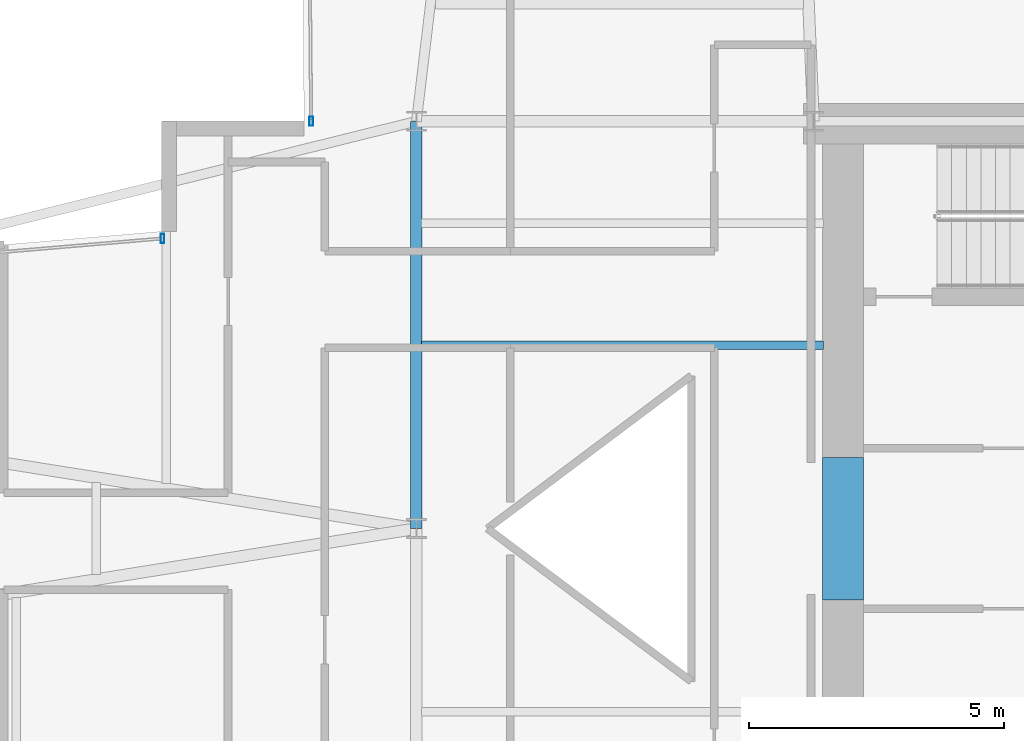
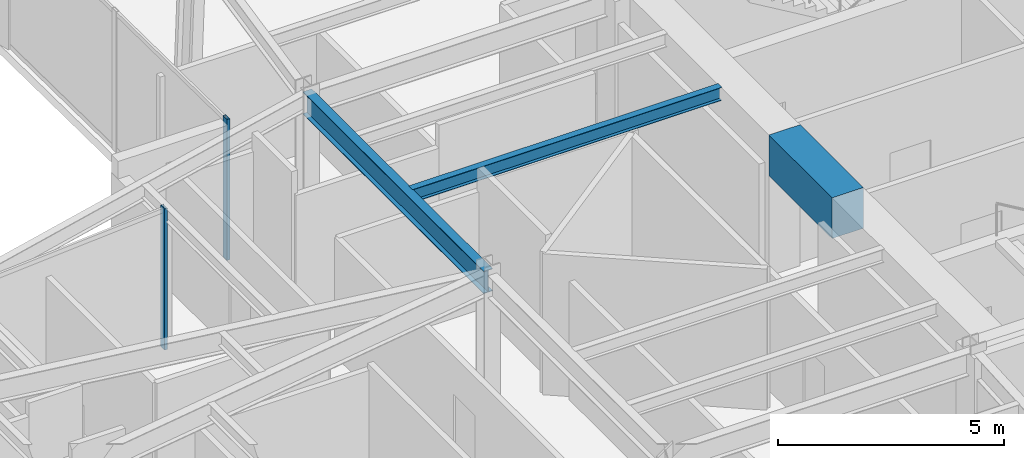
# One storey, part 10 of 25: 3 beams, 2 members, 2 elements without a shape of their own.
"""IFC4 building model written with IfcOpenShell, lengths in metres."""

from ifc_helpers import new_model, si_unit, direction, frame, origin, origin_2d, place, context, subcontext, project, spatial, rectangle, hollow_rectangle, i_section, extrude, material, layer, layer_set, material_profile, profile_set, type_object, element, aggregate, save


model = new_model("IFC4")

# Units and contexts
model_context = context("Model", 3, precision=1e-05, world=origin(), true_north=direction((0.0, 1.0)))
body_context = subcontext(model_context, "Body", "Model", "MODEL_VIEW")
ifc_project = project(units=[si_unit("LENGTHUNIT", "METRE"), si_unit("AREAUNIT", "SQUARE_METRE"), si_unit("VOLUMEUNIT", "CUBIC_METRE"), si_unit("PLANEANGLEUNIT", "RADIAN"), si_unit("MASSUNIT", "GRAM", prefix="KILO")], contexts=[model_context])

# Site, building, storey
site_placement = place(None, origin())
site = spatial("IfcSite", under=ifc_project, at=site_placement, CompositionType="ELEMENT")
building_placement = place(site_placement, origin())
building = spatial("IfcBuilding", under=site, at=building_placement, Name="Veymaron Broadcast Tower", CompositionType="ELEMENT")
storey_placement = place(building_placement, frame((0.0, 0.0, 149.25)))
storey = spatial("IfcBuildingStorey", under=building, at=storey_placement, Name="L34", CompositionType="ELEMENT", Elevation=149.25)

# Beams
ifc_material_1 = material(Name="Concrete C70/85", Category="concrete")
ifc_material_profile_1 = material_profile(ifc_material_1, rectangle(XDim=0.800048828125, YDim=1.10009765625, at=origin_2d()), Name="RC800X1100")
ifc_profile_set_1 = profile_set([ifc_material_profile_1], Name="Concrete C70/85")
beam_type_1 = type_object("IfcBeamType", Name="BM-CB1", PredefinedType="LINTEL", material=ifc_profile_set_1)
beam_1_placement = place(storey_placement, frame((39.580078125, 22.60009765625, 3.260009765625), z_axis=(0.0, 1.0, 0.0), x_axis=(-1.0, 0.0, 0.0)))
element("IfcBeam", 1, at=beam_1_placement, inside=storey, type_object=beam_type_1, Name="L34 Core Wall west coupling beam", PredefinedType="LINTEL", context=body_context, shape_type="SweptSolid", body=[
    extrude(rectangle(XDim=0.800048828125, YDim=1.10009765625, at=origin_2d()), origin(), (0.0, 0.0, 1.0), 2.7998046875),
])
ifc_material_2 = material(Name="Structural steel ASTM A992 Gr 50", Category="steel")
ifc_material_profile_2 = material_profile(ifc_material_2, i_section(OverallWidth=0.22802734375, OverallDepth=0.60791015625, WebThickness=0.01123046875, FlangeThickness=0.017333984375, at=origin_2d()), Name="W610X113")
ifc_profile_set_2 = profile_set([ifc_material_profile_2], Name="Structural steel ASTM A992 Gr 50")
beam_type_2 = type_object("IfcBeamType", Name="BM-FG2", PredefinedType="BEAM", material=ifc_profile_set_2)
beam_2_placement = place(storey_placement, frame((31.199951171875, 24.0, 3.506103515625), z_axis=(0.0, 1.0, 0.0), x_axis=(-1.0, 0.0, 0.0)))
element("IfcBeam", 2, at=beam_2_placement, inside=storey, type_object=beam_type_2, Name="L34 primary structural floor girder", PredefinedType="BEAM", context=body_context, shape_type="SweptSolid", body=[
    extrude(i_section(OverallWidth=0.22802734375, OverallDepth=0.60791015625, WebThickness=0.01123046875, FlangeThickness=0.017333984375, at=origin_2d()), origin(), (0.0, 0.0, 1.0), 8.0),
])
ifc_material_profile_3 = material_profile(ifc_material_2, i_section(OverallWidth=0.1708984375, OverallDepth=0.35498046875, WebThickness=0.007080078125, FlangeThickness=0.01171875, at=origin_2d()), Name="W360X51")
ifc_profile_set_3 = profile_set([ifc_material_profile_3], Name="Structural steel ASTM A992 Gr 50")
beam_type_3 = type_object("IfcBeamType", Name="BM-JS2", PredefinedType="JOIST", material=ifc_profile_set_3)
beam_3_placement = place(storey_placement, frame((31.300048828125, 27.60009765625, 3.632568359375), z_axis=(1.0, 0.0, 0.0), x_axis=(0.0, 1.0, 0.0)))
element("IfcBeam", 3, at=beam_3_placement, inside=storey, type_object=beam_type_3, Name="L34 Hub secondary joist 3", PredefinedType="JOIST", context=body_context, shape_type="SweptSolid", body=[
    extrude(i_section(OverallWidth=0.1708984375, OverallDepth=0.35498046875, WebThickness=0.007080078125, FlangeThickness=0.01171875, at=origin_2d()), origin(), (0.0, 0.0, 1.0), 7.89990234375),
])

# Curtain wall, member
ifc_material_3 = material(Name="Anodised aluminium AA 6063-T6 and laminated low-E dark glass", Category="aluminium")
ifc_layer = layer(ifc_material_3, 0.179931640625)
ifc_layer_set = layer_set([ifc_layer], Name="Anodised aluminium AA 6063-T6 and laminated low-E dark glass")
curtain_wall_type = type_object("IfcCurtainWallType", Name="CW-SYS-03", PredefinedType="NOTDEFINED", material=ifc_layer_set)
curtain_wall_1_placement = place(storey_placement, origin())
curtain_wall_1 = element("IfcCurtainWall", 4, at=curtain_wall_1_placement, inside=storey, type_object=curtain_wall_type, Name="L34 dark-glass curtain wall CW-L34-E8-1", PredefinedType="NOTDEFINED")
ifc_material_4 = material(Name="Anodised aluminium AA 6063-T6", Category="aluminium")
ifc_material_profile_4 = material_profile(ifc_material_4, hollow_rectangle(XDim=0.074951171875, YDim=0.179931640625, WallThickness=0.0048828125, at=origin_2d()), Name="AL180X75X5")
ifc_profile_set_4 = profile_set([ifc_material_profile_4], Name="Anodised aluminium AA 6063-T6")
member_type = type_object("IfcMemberType", Name="CW-MUL-02", PredefinedType="MULLION", material=ifc_profile_set_4)
member_1_placement = place(storey_placement, frame((29.132568359375, 32.001220703125, 0.0), z_axis=(0.0, 0.0, 1.0), x_axis=(1.0, 0.0, 0.0)))
member_1 = element("IfcMember", 5, at=member_1_placement, type_object=member_type, Name="CW-L34-E8-1 mullion 2", PredefinedType="MULLION", context=body_context, shape_type="SweptSolid", body=[
    extrude(hollow_rectangle(XDim=0.074951171875, YDim=0.179931640625, WallThickness=0.0048828125, at=origin_2d()), origin(), (0.0, 0.0, 1.0), 3.81005859375),
])
aggregate(curtain_wall_1, [member_1])

curtain_wall_2_placement = place(storey_placement, origin())
curtain_wall_2 = element("IfcCurtainWall", 6, at=curtain_wall_2_placement, inside=storey, type_object=curtain_wall_type, Name="L34 dark-glass curtain wall CW-L34-E11-1", PredefinedType="NOTDEFINED")
member_2_placement = place(storey_placement, frame((26.2119140625, 29.698486328125, 0.0), z_axis=(0.0, 0.0, 1.0), x_axis=(1.0, 0.0, 0.0)))
member_2 = element("IfcMember", 7, at=member_2_placement, type_object=member_type, Name="CW-L34-E11-1 mullion 0", PredefinedType="MULLION", context=body_context, shape_type="SweptSolid", body=[
    extrude(hollow_rectangle(XDim=0.074951171875, YDim=0.179931640625, WallThickness=0.0048828125, at=origin_2d()), origin(), (0.0, 0.0, 1.0), 3.81005859375),
])
aggregate(curtain_wall_2, [member_2])

save(model, "model.ifc")
